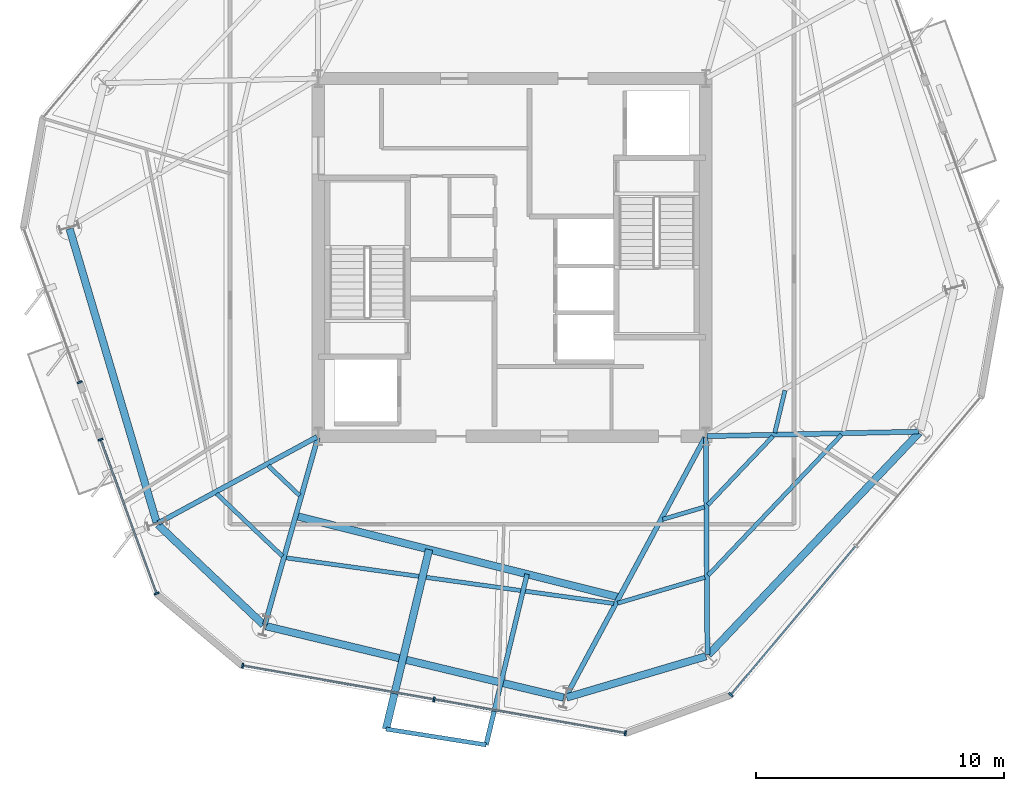
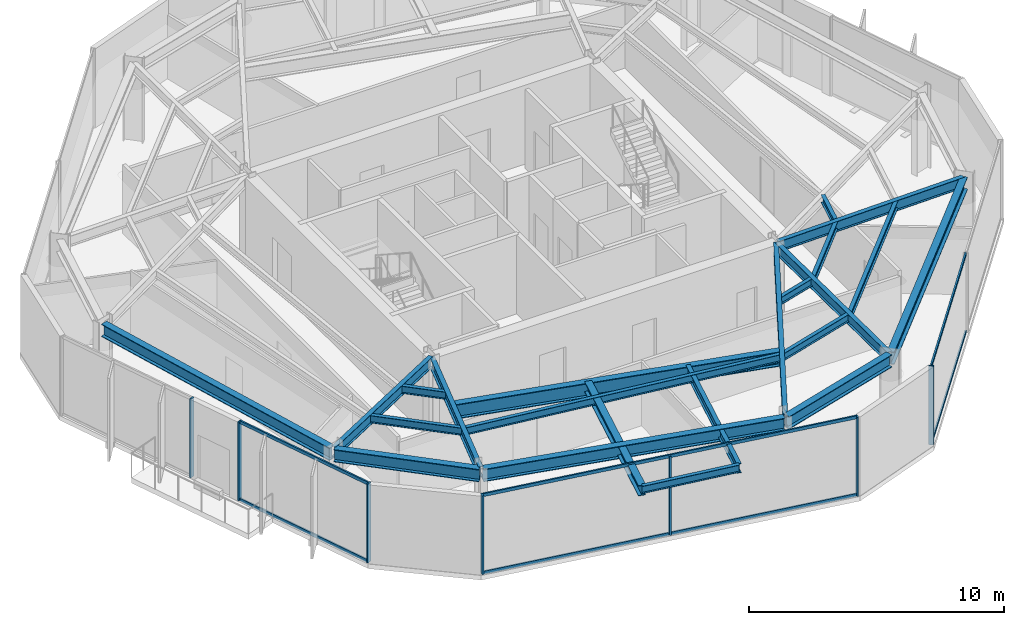
# One storey, part 2 of 11: 22 beams, 15 members, 4 elements without a shape of their own.
"""IFC4 building model written with IfcOpenShell, lengths in metres."""

import ifcopenshell
import ifcopenshell.guid

model = None  # the IFC model being written
_history = None  # IfcOwnerHistory: only IFC2X3 demands one
_inside = {}  # id of a spatial element -> (the spatial element, [elements in it])
_under = {}  # id of a project, library or spatial element -> (it, [spatial elements below it])
_declared = {}  # id of a project -> (the project, [libraries it declares])
_typed = {}  # id of a type object -> (the type object, [elements of that type])
_made_of = {}  # id of a material, layer set ... -> (it, [elements and type objects made of it])


def new_model(schema):
    """Start an empty IFC model of exactly this schema.

    Asked for "IFC4X3", IfcOpenShell would pick the latest addendum, in which some entities
    have other attributes; the version numbers below select the first issue.
    IFC2X3 requires an IfcOwnerHistory on every rooted entity: one is made here for all.
    """
    global model, _history
    if schema == "IFC4X3":
        model = ifcopenshell.file(schema_version=(4, 3, 0, 0))
    else:
        model = ifcopenshell.file(schema=schema)
    _inside.clear()
    _under.clear()
    _declared.clear()
    _typed.clear()
    _made_of.clear()
    _history = None
    if model.schema == "IFC2X3":
        org = make("IfcOrganization", Name="unknown")
        user = make(
            "IfcPersonAndOrganization",
            ThePerson=make("IfcPerson", FamilyName="unknown"),
            TheOrganization=org,
        )
        app = make(
            "IfcApplication",
            ApplicationDeveloper=org,
            Version="unknown",
            ApplicationFullName="unknown",
            ApplicationIdentifier="unknown",
        )
        _history = make(
            "IfcOwnerHistory",
            OwningUser=user,
            OwningApplication=app,
            ChangeAction="ADDED",
            CreationDate=0,
        )
    return model


def make(cls, **values):
    """One entity of the class cls with the attributes given. An attribute that is None is left unset."""
    return model.create_entity(
        cls, **{name: value for name, value in values.items() if value is not None}
    )


def rooted(cls, **values):
    """An entity with a GlobalId (a new one), such as an element, a storey or a relation."""
    return make(cls, GlobalId=ifcopenshell.guid.new(), OwnerHistory=_history, **values)


def si_unit(unit_type, name, prefix=None):
    """IfcSIUnit, for example si_unit("LENGTHUNIT", "METRE", prefix="MILLI")."""
    return make("IfcSIUnit", UnitType=unit_type, Prefix=prefix, Name=name)


def assignment(units):
    """IfcUnitAssignment: the units of a project."""
    return None if units is None else make("IfcUnitAssignment", Units=units)


def point(xyz):
    """IfcCartesianPoint."""
    return None if xyz is None else make("IfcCartesianPoint", Coordinates=xyz)


def direction(xyz):
    """IfcDirection."""
    return None if xyz is None else make("IfcDirection", DirectionRatios=xyz)


def frame(location, z_axis=None, x_axis=None):
    """IfcAxis2Placement3D, a coordinate frame: its origin and axes. An axis left out is left unset."""
    return make(
        "IfcAxis2Placement3D",
        Location=point(location),
        Axis=direction(z_axis),
        RefDirection=direction(x_axis),
    )


def frame_2d(location, x_axis=None):
    """IfcAxis2Placement2D, a coordinate frame in the plane: its origin and x axis."""
    return make(
        "IfcAxis2Placement2D", Location=point(location), RefDirection=direction(x_axis)
    )


def origin():
    """The frame at (0, 0, 0) with its axes left unset."""
    return frame((0.0, 0.0, 0.0))


def origin_2d():
    """The frame at (0, 0) in the plane with its x axis left unset."""
    return frame_2d((0.0, 0.0))


def place(relative_to, where):
    """IfcLocalPlacement: puts the frame where relative to a parent placement (None: the world)."""
    return make(
        "IfcLocalPlacement", PlacementRelTo=relative_to, RelativePlacement=where
    )


def context(
    kind, dimensions, precision=None, world=None, true_north=None, identifier=None
):
    """IfcGeometricRepresentationContext, for example the 3D "Model" context."""
    return make(
        "IfcGeometricRepresentationContext",
        ContextIdentifier=identifier,
        ContextType=kind,
        CoordinateSpaceDimension=dimensions,
        Precision=precision,
        WorldCoordinateSystem=world,
        TrueNorth=true_north,
    )


def subcontext(parent, identifier, kind, view, scale=None):
    """IfcGeometricRepresentationSubContext, for example "Body" below "Model"."""
    return make(
        "IfcGeometricRepresentationSubContext",
        ContextIdentifier=identifier,
        ContextType=kind,
        ParentContext=parent,
        TargetScale=scale,
        TargetView=view,
    )


def project(units=None, contexts=None):
    """IfcProject with its units and contexts."""
    return rooted(
        "IfcProject",
        Name="project",
        RepresentationContexts=contexts,
        UnitsInContext=assignment(units),
    )


def spatial(cls, under=None, at=None, **own):
    """A site, building, storey or space (cls), placed at a placement, below another one or the project."""
    s = rooted(cls, ObjectPlacement=at, **own)
    if under is not None:
        _under.setdefault(under.id(), (under, []))[1].append(s)
    return s


def profile(cls, at=None, kind="AREA", **sizes):
    """A parametric profile (cls). Its sizes go by their IFC names, for example OverallWidth=200.0."""
    return make(cls, ProfileType=kind, Position=at, **sizes)


def rectangle(**sizes):
    """IfcRectangleProfileDef."""
    return profile("IfcRectangleProfileDef", **sizes)


def i_section(**sizes):
    """IfcIShapeProfileDef."""
    return profile("IfcIShapeProfileDef", **sizes)


def extrude(swept, where, along, depth):
    """IfcExtrudedAreaSolid: the profile swept, set in the frame where, extruded along a direction by depth."""
    return make(
        "IfcExtrudedAreaSolid",
        SweptArea=swept,
        Position=where,
        ExtrudedDirection=direction(along),
        Depth=depth,
    )


def shape(context_of_items, identifier, shape_type, items):
    """IfcShapeRepresentation: the items that make up one representation, for example the "Body"."""
    return make(
        "IfcShapeRepresentation",
        ContextOfItems=context_of_items,
        RepresentationIdentifier=identifier,
        RepresentationType=shape_type,
        Items=items,
    )


def material(Name=None, Category=None):
    """IfcMaterial."""
    return make("IfcMaterial", Name=Name, Category=Category)


def layer(
    of_material, thickness, ventilated=None, Name=None, Category=None, Priority=None
):
    """IfcMaterialLayer: one layer of a wall or slab, of a material (None: an air gap)."""
    return make(
        "IfcMaterialLayer",
        Material=of_material,
        LayerThickness=thickness,
        IsVentilated=ventilated,
        Name=Name,
        Category=Category,
        Priority=Priority,
    )


def layer_set(layers, Name=None):
    """IfcMaterialLayerSet."""
    return make("IfcMaterialLayerSet", MaterialLayers=layers, LayerSetName=Name)


def material_profile(
    of_material, cross_section, Name=None, Category=None, Priority=None
):
    """IfcMaterialProfile: a cross section and its material."""
    return make(
        "IfcMaterialProfile",
        Name=Name,
        Material=of_material,
        Profile=cross_section,
        Priority=Priority,
        Category=Category,
    )


def profile_set(profiles, Name=None, composite=None):
    """IfcMaterialProfileSet."""
    return make(
        "IfcMaterialProfileSet",
        Name=Name,
        MaterialProfiles=profiles,
        CompositeProfile=composite,
    )


def made_of(thing, what):
    """Note that an element or type object is made of a material, layer set ...; save() writes the relation."""
    if what is not None:
        _made_of.setdefault(what.id(), (what, []))[1].append(thing)
    return thing


def type_object(cls, material=None, **own):
    """A type object (cls), such as IfcWallType, which elements share."""
    return made_of(rooted(cls, **own), material)


def element(
    cls,
    number,
    at=None,
    inside=None,
    cuts=None,
    type_object=None,
    material=None,
    context=None,
    identifier="Body",
    shape_type=None,
    held_by="IfcProductDefinitionShape",
    body=None,
    shapes=None,
    **own,
):
    """One element of the class cls, such as IfcWall. Its Tag is "e" and its number.

    at: its placement. inside: the storey or other place that contains it. cuts: it is an
    opening in that element (IfcRelVoidsElement). A single representation is given by context,
    identifier, shape_type and body (its items); several are given by shapes. held_by: the class
    of the entity that holds the representations. save() writes the other relations.
    """
    e = rooted(cls, Tag="e%d" % number, ObjectPlacement=at, **own)
    if body is not None:
        shapes = [shape(context, identifier, shape_type, body)]
    if shapes is not None:
        e.Representation = make(held_by, Representations=shapes)
    if inside is not None:
        _inside.setdefault(inside.id(), (inside, []))[1].append(e)
    if cuts is not None:
        rooted(
            "IfcRelVoidsElement", RelatingBuildingElement=cuts, RelatedOpeningElement=e
        )
    if type_object is not None:
        _typed.setdefault(type_object.id(), (type_object, []))[1].append(e)
    return made_of(e, material)


def aggregate(whole, parts):
    """IfcRelAggregates: a whole, such as a stair, and the parts it consists of."""
    return rooted("IfcRelAggregates", RelatingObject=whole, RelatedObjects=parts)


def save(model, path):
    """Write the relations noted so far, then the file.

    IfcRelAggregates (storeys below a building ...), IfcRelContainedInSpatialStructure (elements
    in a storey), IfcRelDefinesByType, IfcRelAssociatesMaterial and IfcRelDeclares: one each for
    every whole, place, type object, material and project.
    """
    for whole, parts in _under.values():
        aggregate(whole, parts)
    for where, things in _inside.values():
        rooted(
            "IfcRelContainedInSpatialStructure",
            RelatedElements=things,
            RelatingStructure=where,
        )
    for kind, things in _typed.values():
        rooted("IfcRelDefinesByType", RelatedObjects=things, RelatingType=kind)
    for what, things in _made_of.values():
        rooted("IfcRelAssociatesMaterial", RelatedObjects=things, RelatingMaterial=what)
    for by, libraries in _declared.values():
        rooted("IfcRelDeclares", RelatingContext=by, RelatedDefinitions=libraries)
    model.write(path)


model = new_model("IFC4")

# Units and contexts
model_context = context("Model", 3, precision=1e-05, world=origin(), true_north=direction((0.0, 1.0)))
body_context = subcontext(model_context, "Body", "Model", "MODEL_VIEW")
ifc_project = project(units=[si_unit("LENGTHUNIT", "METRE"), si_unit("AREAUNIT", "SQUARE_METRE"), si_unit("VOLUMEUNIT", "CUBIC_METRE"), si_unit("PLANEANGLEUNIT", "RADIAN"), si_unit("MASSUNIT", "GRAM", prefix="KILO")], contexts=[model_context])

# Site, building, storey
site_placement = place(None, origin())
site = spatial("IfcSite", under=ifc_project, at=site_placement, CompositionType="ELEMENT")
building_placement = place(site_placement, origin())
building = spatial("IfcBuilding", under=site, at=building_placement, Name="Kranzbogen Civic Tower", CompositionType="ELEMENT")
storey_placement = place(building_placement, frame((0.0, 0.0, 224.800048828125)))
storey = spatial("IfcBuildingStorey", under=building, at=storey_placement, Name="L54", CompositionType="ELEMENT", Elevation=224.800048828125)

# Beam
ifc_material_1 = material(Name="Steel S355", Category="steel")
ifc_material_profile_1 = material_profile(ifc_material_1, i_section(OverallWidth=0.18994140625, OverallDepth=0.449951171875, WebThickness=0.009521484375, FlangeThickness=0.0146484375, at=origin_2d()), Name="IPE 450")
ifc_profile_set_1 = profile_set([ifc_material_profile_1], Name="Steel S355")
beam_type_1 = type_object("IfcBeamType", Name="Braced Terrace Edge Beam IPE 450", PredefinedType="BEAM", material=ifc_profile_set_1)
beam_1_placement = place(storey_placement, frame((25.60693359375, 12.24609375, 3.52490234375), z_axis=(-0.233359892352, -0.972390436317, 0.0), x_axis=(0.972390436317, -0.233359892352, 0.0)))
element("IfcBeam", 1, at=beam_1_placement, inside=storey, type_object=beam_type_1, Name="L55 back-spanned terrace beam L55-TB1-2", PredefinedType="BEAM", context=body_context, shape_type="SweptSolid", body=[
    extrude(i_section(OverallWidth=0.18994140625, OverallDepth=0.449951171875, WebThickness=0.009521484375, FlangeThickness=0.0146484375, at=origin_2d()), origin(), (0.0, 0.0, 1.0), 7.0703125),
])

# Curtain wall, member
ifc_material_2 = material(Name="Pale Anodised Aluminium", Category="aluminium")
ifc_layer = layer(ifc_material_2, 0.219970703125, Name="Pale Anodised Aluminium")
ifc_layer_set = layer_set([ifc_layer], Name="Pale Anodised Aluminium")
curtain_wall_type = type_object("IfcCurtainWallType", Name="Zone 3 Stick Curtain Wall System CW-04", PredefinedType="USERDEFINED", material=ifc_layer_set)
curtain_wall_1_placement = place(storey_placement, origin())
curtain_wall_1 = element("IfcCurtainWall", 2, at=curtain_wall_1_placement, inside=storey, type_object=curtain_wall_type, Name="L54 curtain wall CW-L54-F3-S1", ObjectType="STICK CURTAIN WALL", PredefinedType="USERDEFINED")
ifc_material_profile_2 = material_profile(ifc_material_2, rectangle(XDim=0.070068359375, YDim=0.199951171875, at=origin_2d()), Name="ALU-M 70x200")
ifc_profile_set_2 = profile_set([ifc_material_profile_2], Name="Pale Anodised Aluminium")
member_type_1 = type_object("IfcMemberType", Name="Curtain Wall Mullion ALU-M 70x200", PredefinedType="MULLION", material=ifc_profile_set_2)
member_1_placement = place(storey_placement, frame((7.59765625, 19.97412109375, 0.0), z_axis=(0.0, 0.0, 1.0), x_axis=(0.342032633583, -0.93968807461, 0.0)))
member_1 = element("IfcMember", 3, at=member_1_placement, type_object=member_type_1, Name="CW-04 mullion 2", PredefinedType="MULLION", context=body_context, shape_type="SweptSolid", body=[
    extrude(rectangle(XDim=0.070068359375, YDim=0.199951171875, at=origin_2d()), origin(), (0.0, 0.0, 1.0), 3.780029296875),
])
aggregate(curtain_wall_1, [member_1])

# Curtain wall, members
curtain_wall_2_placement = place(storey_placement, origin())
curtain_wall_2 = element("IfcCurtainWall", 4, at=curtain_wall_2_placement, inside=storey, type_object=curtain_wall_type, Name="L54 curtain wall CW-L54-F3-S2", ObjectType="STICK CURTAIN WALL", PredefinedType="USERDEFINED")
member_2_placement = place(storey_placement, frame((8.439208984375, 17.662841796875, 0.0), z_axis=(0.0, 0.0, 1.0), x_axis=(0.342080939887, -0.93967049042, 0.0)))
member_2 = element("IfcMember", 5, at=member_2_placement, type_object=member_type_1, Name="CW-04 mullion 1", PredefinedType="MULLION", context=body_context, shape_type="SweptSolid", body=[
    extrude(rectangle(XDim=0.070068359375, YDim=0.199951171875, at=origin_2d()), origin(), (0.0, 0.0, 1.0), 3.780029296875),
])
member_3_placement = place(storey_placement, frame((10.69482421875, 11.46728515625, 0.0), z_axis=(0.0, 0.0, 1.0), x_axis=(0.342080939887, -0.93967049042, 0.0)))
member_3 = element("IfcMember", 6, at=member_3_placement, type_object=member_type_1, Name="CW-04 mullion 2", PredefinedType="MULLION", context=body_context, shape_type="SweptSolid", body=[
    extrude(rectangle(XDim=0.070068359375, YDim=0.199951171875, at=origin_2d()), origin(), (0.0, 0.0, 1.0), 3.780029296875),
])

curtain_wall_3_placement = place(storey_placement, origin())
curtain_wall_3 = element("IfcCurtainWall", 7, at=curtain_wall_3_placement, inside=storey, type_object=curtain_wall_type, Name="L54 curtain wall CW-L54-F4", ObjectType="STICK CURTAIN WALL", PredefinedType="USERDEFINED")
member_4_placement = place(storey_placement, frame((14.156494140625, 8.561767578125, 0.0), z_axis=(0.0, 0.0, 1.0), x_axis=(0.984803420374, -0.173672747489, 0.0)))
member_4 = element("IfcMember", 8, at=member_4_placement, type_object=member_type_1, Name="CW-04 mullion 1", PredefinedType="MULLION", context=body_context, shape_type="SweptSolid", body=[
    extrude(rectangle(XDim=0.070068359375, YDim=0.199951171875, at=origin_2d()), origin(), (0.0, 0.0, 1.0), 3.780029296875),
])
member_5_placement = place(storey_placement, frame((21.861572265625, 7.202880859375, 0.0), z_axis=(0.0, 0.0, 1.0), x_axis=(0.984803420374, -0.173672747489, 0.0)))
member_5 = element("IfcMember", 9, at=member_5_placement, type_object=member_type_1, Name="CW-04 mullion 2", PredefinedType="MULLION", context=body_context, shape_type="SweptSolid", body=[
    extrude(rectangle(XDim=0.070068359375, YDim=0.199951171875, at=origin_2d()), origin(), (0.0, 0.0, 1.0), 3.780029296875),
])
member_6_placement = place(storey_placement, frame((29.56640625, 5.84423828125, 0.0), z_axis=(0.0, 0.0, 1.0), x_axis=(0.984803420374, -0.173672747489, 0.0)))
member_6 = element("IfcMember", 10, at=member_6_placement, type_object=member_type_1, Name="CW-04 mullion 3", PredefinedType="MULLION", context=body_context, shape_type="SweptSolid", body=[
    extrude(rectangle(XDim=0.070068359375, YDim=0.199951171875, at=origin_2d()), origin(), (0.0, 0.0, 1.0), 3.780029296875),
])

# Curtain wall, member
curtain_wall_4_placement = place(storey_placement, origin())
curtain_wall_4 = element("IfcCurtainWall", 11, at=curtain_wall_4_placement, inside=storey, type_object=curtain_wall_type, Name="L54 curtain wall CW-L54-F5", ObjectType="STICK CURTAIN WALL", PredefinedType="USERDEFINED")
member_7_placement = place(storey_placement, frame((33.815185546875, 7.389892578125, 0.0), z_axis=(0.0, 0.0, 1.0), x_axis=(0.642754513529, 0.766072212874, 0.0)))
member_7 = element("IfcMember", 12, at=member_7_placement, type_object=member_type_1, Name="CW-04 mullion 1", PredefinedType="MULLION", context=body_context, shape_type="SweptSolid", body=[
    extrude(rectangle(XDim=0.070068359375, YDim=0.199951171875, at=origin_2d()), origin(), (0.0, 0.0, 1.0), 3.780029296875),
])

# Member
ifc_material_profile_3 = material_profile(ifc_material_2, rectangle(XDim=0.070068359375, YDim=0.14990234375, at=origin_2d()), Name="ALU-T 70x150")
ifc_profile_set_3 = profile_set([ifc_material_profile_3], Name="Pale Anodised Aluminium")
member_type_2 = type_object("IfcMemberType", Name="Curtain Wall Transom ALU-T 70x150", PredefinedType="USERDEFINED", material=ifc_profile_set_3)
member_8_placement = place(storey_placement, frame((8.449462890625, 17.634521484375, 0.030029296875), z_axis=(0.342106082149, -0.939661337162, 0.0), x_axis=(0.939661337162, 0.342106082149, 0.0)))
member_8 = element("IfcMember", 13, at=member_8_placement, type_object=member_type_2, Name="CW-04 transom 1.1", ObjectType="TRANSOM", PredefinedType="USERDEFINED", context=body_context, shape_type="SweptSolid", body=[
    extrude(rectangle(XDim=0.070068359375, YDim=0.14990234375, at=origin_2d()), origin(), (0.0, 0.0, 1.0), 6.533447265625),
])

member_9_placement = place(storey_placement, frame((8.449462890625, 17.634521484375, 3.75), z_axis=(0.342106082149, -0.939661337162, 0.0), x_axis=(0.939661337162, 0.342106082149, 0.0)))
member_9 = element("IfcMember", 14, at=member_9_placement, type_object=member_type_2, Name="CW-04 transom 1.2", ObjectType="TRANSOM", PredefinedType="USERDEFINED", context=body_context, shape_type="SweptSolid", body=[
    extrude(rectangle(XDim=0.070068359375, YDim=0.14990234375, at=origin_2d()), origin(), (0.0, 0.0, 1.0), 6.533447265625),
])

aggregate(curtain_wall_2, [member_2, member_3, member_8, member_9])

member_10_placement = place(storey_placement, frame((14.18603515625, 8.556640625, 0.030029296875), z_axis=(0.984803495821, -0.17367231967, 0.0), x_axis=(0.17367231967, 0.984803495821, 0.0)))
member_10 = element("IfcMember", 15, at=member_10_placement, type_object=member_type_2, Name="CW-04 transom 1.1", ObjectType="TRANSOM", PredefinedType="USERDEFINED", context=body_context, shape_type="SweptSolid", body=[
    extrude(rectangle(XDim=0.070068359375, YDim=0.14990234375, at=origin_2d()), origin(), (0.0, 0.0, 1.0), 7.763916015625),
])

member_11_placement = place(storey_placement, frame((14.18603515625, 8.556640625, 3.75), z_axis=(0.984803495821, -0.17367231967, 0.0), x_axis=(0.17367231967, 0.984803495821, 0.0)))
member_11 = element("IfcMember", 16, at=member_11_placement, type_object=member_type_2, Name="CW-04 transom 1.2", ObjectType="TRANSOM", PredefinedType="USERDEFINED", context=body_context, shape_type="SweptSolid", body=[
    extrude(rectangle(XDim=0.070068359375, YDim=0.14990234375, at=origin_2d()), origin(), (0.0, 0.0, 1.0), 7.763916015625),
])

member_12_placement = place(storey_placement, frame((21.89111328125, 7.19775390625, 0.030029296875), z_axis=(0.984802547321, -0.173677698019, 0.0), x_axis=(0.173677698019, 0.984802547321, 0.0)))
member_12 = element("IfcMember", 17, at=member_12_placement, type_object=member_type_2, Name="CW-04 transom 2.1", ObjectType="TRANSOM", PredefinedType="USERDEFINED", context=body_context, shape_type="SweptSolid", body=[
    extrude(rectangle(XDim=0.070068359375, YDim=0.14990234375, at=origin_2d()), origin(), (0.0, 0.0, 1.0), 7.763671875),
])

member_13_placement = place(storey_placement, frame((21.89111328125, 7.19775390625, 3.75), z_axis=(0.984802547321, -0.173677698019, 0.0), x_axis=(0.173677698019, 0.984802547321, 0.0)))
member_13 = element("IfcMember", 18, at=member_13_placement, type_object=member_type_2, Name="CW-04 transom 2.2", ObjectType="TRANSOM", PredefinedType="USERDEFINED", context=body_context, shape_type="SweptSolid", body=[
    extrude(rectangle(XDim=0.070068359375, YDim=0.14990234375, at=origin_2d()), origin(), (0.0, 0.0, 1.0), 7.763671875),
])

aggregate(curtain_wall_3, [member_4, member_5, member_6, member_10, member_11, member_12, member_13])

member_14_placement = place(storey_placement, frame((33.83447265625, 7.4130859375, 0.030029296875), z_axis=(0.642763507001, 0.766064667028, 0.0), x_axis=(-0.766064667028, 0.642763507001, 0.0)))
member_14 = element("IfcMember", 19, at=member_14_placement, type_object=member_type_2, Name="CW-04 transom 1.1", ObjectType="TRANSOM", PredefinedType="USERDEFINED", context=body_context, shape_type="SweptSolid", body=[
    extrude(rectangle(XDim=0.070068359375, YDim=0.14990234375, at=origin_2d()), origin(), (0.0, 0.0, 1.0), 7.763671875),
])

member_15_placement = place(storey_placement, frame((33.83447265625, 7.4130859375, 3.75), z_axis=(0.642763507001, 0.766064667028, 0.0), x_axis=(-0.766064667028, 0.642763507001, 0.0)))
member_15 = element("IfcMember", 20, at=member_15_placement, type_object=member_type_2, Name="CW-04 transom 1.2", ObjectType="TRANSOM", PredefinedType="USERDEFINED", context=body_context, shape_type="SweptSolid", body=[
    extrude(rectangle(XDim=0.070068359375, YDim=0.14990234375, at=origin_2d()), origin(), (0.0, 0.0, 1.0), 7.763671875),
])

aggregate(curtain_wall_4, [member_7, member_14, member_15])

# Beams
ifc_material_profile_4 = material_profile(ifc_material_1, i_section(OverallWidth=0.300048828125, OverallDepth=0.5, WebThickness=0.014404296875, FlangeThickness=0.028076171875, at=origin_2d()), Name="HEB 500")
ifc_profile_set_4 = profile_set([ifc_material_profile_4], Name="Steel S355")
beam_type_2 = type_object("IfcBeamType", Name="Perimeter Tube Spandrel Beam HEB 500", PredefinedType="SPANDREL", material=ifc_profile_set_4)
beam_2_placement = place(storey_placement, frame((21.662109375, 13.239013671875, 3.5), z_axis=(-0.233391583111, -0.972382830439, 0.0), x_axis=(0.972382830439, -0.233391583111, 0.0)))
element("IfcBeam", 21, at=beam_2_placement, inside=storey, type_object=beam_type_2, Name="L55 back-spanned terrace beam L55-TB1-1", PredefinedType="SPANDREL", context=body_context, shape_type="SweptSolid", body=[
    extrude(i_section(OverallWidth=0.300048828125, OverallDepth=0.5, WebThickness=0.014404296875, FlangeThickness=0.028076171875, at=origin_2d()), origin(), (0.0, 0.0, 1.0), 7.434326171875),
])
ifc_material_profile_5 = material_profile(ifc_material_1, i_section(OverallWidth=0.300048828125, OverallDepth=0.60009765625, WebThickness=0.015380859375, FlangeThickness=0.030029296875, at=origin_2d()), Name="HEB 600")
ifc_profile_set_5 = profile_set([ifc_material_profile_5], Name="Steel S355")
beam_type_3 = type_object("IfcBeamType", Name="Perimeter Tube Spandrel Beam HEB 600", PredefinedType="SPANDREL", material=ifc_profile_set_5)
beam_3_placement = place(storey_placement, frame((10.7509765625, 14.235107421875, 3.47998046875), z_axis=(0.725245206788, -0.688490660816, 0.0), x_axis=(0.688490660816, 0.725245206788, 0.0)))
element("IfcBeam", 22, at=beam_3_placement, inside=storey, type_object=beam_type_3, Name="L54 perimeter spandrel beam 01", PredefinedType="SPANDREL", context=body_context, shape_type="SweptSolid", body=[
    extrude(i_section(OverallWidth=0.300048828125, OverallDepth=0.60009765625, WebThickness=0.015380859375, FlangeThickness=0.030029296875, at=origin_2d()), origin(), (0.0, 0.0, 1.0), 5.85205078125),
])
beam_4_placement = place(storey_placement, frame((15.096923828125, 10.15087890625, 3.47998046875), z_axis=(0.972377592092, -0.233413406637, 0.0), x_axis=(0.233413406637, 0.972377592092, 0.0)))
element("IfcBeam", 23, at=beam_4_placement, inside=storey, type_object=beam_type_3, Name="L54 perimeter spandrel beam 02", PredefinedType="SPANDREL", context=body_context, shape_type="SweptSolid", body=[
    extrude(i_section(OverallWidth=0.300048828125, OverallDepth=0.60009765625, WebThickness=0.015380859375, FlangeThickness=0.030029296875, at=origin_2d()), origin(), (0.0, 0.0, 1.0), 12.32568359375),
])
beam_5_placement = place(storey_placement, frame((27.197998046875, 7.277099609375, 3.47998046875), z_axis=(0.9588296723, 0.283981794341, 0.0), x_axis=(-0.283981794341, 0.9588296723, 0.0)))
element("IfcBeam", 24, at=beam_5_placement, inside=storey, type_object=beam_type_3, Name="L54 perimeter spandrel beam 03", PredefinedType="SPANDREL", context=body_context, shape_type="SweptSolid", body=[
    extrude(i_section(OverallWidth=0.300048828125, OverallDepth=0.60009765625, WebThickness=0.015380859375, FlangeThickness=0.030029296875, at=origin_2d()), origin(), (0.0, 0.0, 1.0), 5.85205078125),
])
beam_6_placement = place(storey_placement, frame((32.907958984375, 9.0, 3.47998046875), z_axis=(0.688373497874, 0.725356414065, 0.0), x_axis=(-0.725356414065, 0.688373497874, 0.0)))
element("IfcBeam", 25, at=beam_6_placement, inside=storey, type_object=beam_type_3, Name="L54 perimeter spandrel beam 04", PredefinedType="SPANDREL", context=body_context, shape_type="SweptSolid", body=[
    extrude(i_section(OverallWidth=0.300048828125, OverallDepth=0.60009765625, WebThickness=0.015380859375, FlangeThickness=0.030029296875, at=origin_2d()), origin(), (0.0, 0.0, 1.0), 12.324951171875),
])
beam_7_placement = place(storey_placement, frame((7.18896484375, 26.15087890625, 3.47998046875), z_axis=(0.284064048956, -0.958805306666, 0.0), x_axis=(0.958805306666, 0.284064048956, 0.0)))
element("IfcBeam", 26, at=beam_7_placement, inside=storey, type_object=beam_type_3, Name="L54 perimeter spandrel beam 12", PredefinedType="SPANDREL", context=body_context, shape_type="SweptSolid", body=[
    extrude(i_section(OverallWidth=0.300048828125, OverallDepth=0.60009765625, WebThickness=0.015380859375, FlangeThickness=0.030029296875, at=origin_2d()), origin(), (0.0, 0.0, 1.0), 12.32470703125),
])
ifc_material_profile_6 = material_profile(ifc_material_1, i_section(OverallWidth=0.300048828125, OverallDepth=0.699951171875, WebThickness=0.01708984375, FlangeThickness=0.031982421875, at=origin_2d()), Name="HEB 700")
ifc_profile_set_6 = profile_set([ifc_material_profile_6], Name="Steel S355")
beam_type_4 = type_object("IfcBeamType", Name="Perimeter Tube Spandrel Beam HEB 700", PredefinedType="SPANDREL", material=ifc_profile_set_6)
beam_8_placement = place(storey_placement, frame((16.2919921875, 14.591064453125, 3.39990234375), z_axis=(0.969754167823, -0.244083702834, 0.0), x_axis=(0.244083702834, 0.969754167823, 0.0)))
element("IfcBeam", 27, at=beam_8_placement, inside=storey, type_object=beam_type_4, Name="L55 balcony back-span header girder L55-TB1", PredefinedType="SPANDREL", context=body_context, shape_type="SweptSolid", body=[
    extrude(i_section(OverallWidth=0.300048828125, OverallDepth=0.699951171875, WebThickness=0.01708984375, FlangeThickness=0.031982421875, at=origin_2d()), origin(), (0.0, 0.0, 1.0), 13.43017578125),
])
ifc_material_profile_7 = material_profile(ifc_material_1, i_section(OverallWidth=0.199951171875, OverallDepth=0.5, WebThickness=0.01025390625, FlangeThickness=0.01611328125, at=origin_2d()), Name="IPE 500")
ifc_profile_set_7 = profile_set([ifc_material_profile_7], Name="Steel S355")
beam_type_5 = type_object("IfcBeamType", Name="Radial Tower Floor Girder IPE 500", PredefinedType="BEAM", material=ifc_profile_set_7)
beam_9_placement = place(storey_placement, frame((10.760009765625, 14.304931640625, 3.530029296875), z_axis=(0.878919430102, 0.476970266777, 0.0), x_axis=(-0.476970266777, 0.878919430102, 0.0)))
element("IfcBeam", 28, at=beam_9_placement, inside=storey, type_object=beam_type_5, Name="L54 radial floor girder 01", PredefinedType="BEAM", context=body_context, shape_type="SweptSolid", body=[
    extrude(i_section(OverallWidth=0.199951171875, OverallDepth=0.5, WebThickness=0.01025390625, FlangeThickness=0.01611328125, at=origin_2d()), origin(), (0.0, 0.0, 1.0), 7.266845703125),
])
beam_10_placement = place(storey_placement, frame((15.054931640625, 10.222900390625, 3.530029296875), z_axis=(0.272455078988, 0.962168503919, 0.0), x_axis=(-0.962168503919, 0.272455078988, 0.0)))
element("IfcBeam", 29, at=beam_10_placement, inside=storey, type_object=beam_type_5, Name="L54 radial floor girder 02", PredefinedType="BEAM", context=body_context, shape_type="SweptSolid", body=[
    extrude(i_section(OverallWidth=0.199951171875, OverallDepth=0.5, WebThickness=0.01025390625, FlangeThickness=0.01611328125, at=origin_2d()), origin(), (0.0, 0.0, 1.0), 7.814697265625),
])
beam_11_placement = place(storey_placement, frame((27.16796875, 7.31298828125, 3.530029296875), z_axis=(0.473160413549, 0.880976289721, 0.0), x_axis=(-0.880976289721, 0.473160413549, 0.0)))
element("IfcBeam", 30, at=beam_11_placement, inside=storey, type_object=beam_type_5, Name="L54 radial floor girder 03", PredefinedType="BEAM", context=body_context, shape_type="SweptSolid", body=[
    extrude(i_section(OverallWidth=0.199951171875, OverallDepth=0.5, WebThickness=0.01025390625, FlangeThickness=0.01611328125, at=origin_2d()), origin(), (0.0, 0.0, 1.0), 11.84375),
])
beam_12_placement = place(storey_placement, frame((32.866943359375, 9.01611328125, 3.530029296875), z_axis=(-0.007667756557, 0.999970602323, 0.0), x_axis=(-0.999970602323, -0.007667756557, 0.0)))
element("IfcBeam", 31, at=beam_12_placement, inside=storey, type_object=beam_type_5, Name="L54 radial floor girder 04", PredefinedType="BEAM", context=body_context, shape_type="SweptSolid", body=[
    extrude(i_section(OverallWidth=0.199951171875, OverallDepth=0.5, WebThickness=0.01025390625, FlangeThickness=0.01611328125, at=origin_2d()), origin(), (0.0, 0.0, 1.0), 8.72412109375),
])
beam_13_placement = place(storey_placement, frame((41.373046875, 17.98291015625, 3.530029296875), z_axis=(-0.99977183191, -0.021360808018, 0.0), x_axis=(0.021360808018, -0.99977183191, 0.0)))
element("IfcBeam", 32, at=beam_13_placement, inside=storey, type_object=beam_type_5, Name="L54 radial floor girder 05", PredefinedType="BEAM", context=body_context, shape_type="SweptSolid", body=[
    extrude(i_section(OverallWidth=0.199951171875, OverallDepth=0.5, WebThickness=0.01025390625, FlangeThickness=0.01611328125, at=origin_2d()), origin(), (0.0, 0.0, 1.0), 8.514892578125),
])
ifc_material_profile_8 = material_profile(ifc_material_1, i_section(OverallWidth=0.169921875, OverallDepth=0.360107421875, WebThickness=0.008056640625, FlangeThickness=0.0126953125, at=origin_2d()), Name="IPE 360")
ifc_profile_set_8 = profile_set([ifc_material_profile_8], Name="Steel S355")
beam_type_6 = type_object("IfcBeamType", Name="Secondary Composite Floor Joist IPE 360", PredefinedType="JOIST", material=ifc_profile_set_8)
beam_14_placement = place(storey_placement, frame((13.10302734375, 15.489990234375, 3.599853515625), z_axis=(0.725300648604, -0.688432254572, 0.0), x_axis=(0.688432254572, 0.725300648604, 0.0)))
element("IfcBeam", 33, at=beam_14_placement, inside=storey, type_object=beam_type_6, Name="L54 secondary floor joist 1.01", PredefinedType="JOIST", context=body_context, shape_type="SweptSolid", body=[
    extrude(i_section(OverallWidth=0.169921875, OverallDepth=0.360107421875, WebThickness=0.008056640625, FlangeThickness=0.0126953125, at=origin_2d()), origin(), (0.0, 0.0, 1.0), 3.661865234375),
])
beam_15_placement = place(storey_placement, frame((15.179931640625, 16.616943359375, 3.599853515625), z_axis=(0.725479767774, -0.688243493649, 0.0), x_axis=(0.688243493649, 0.725479767774, 0.0)))
element("IfcBeam", 34, at=beam_15_placement, inside=storey, type_object=beam_type_6, Name="L54 secondary floor joist 2.01", PredefinedType="JOIST", context=body_context, shape_type="SweptSolid", body=[
    extrude(i_section(OverallWidth=0.169921875, OverallDepth=0.360107421875, WebThickness=0.008056640625, FlangeThickness=0.0126953125, at=origin_2d()), origin(), (0.0, 0.0, 1.0), 1.75048828125),
])
beam_16_placement = place(storey_placement, frame((15.89599609375, 12.903076171875, 3.599853515625), z_axis=(0.990445837232, -0.137902296968, 0.0), x_axis=(0.137902296968, 0.990445837232, 0.0)))
element("IfcBeam", 35, at=beam_16_placement, inside=storey, type_object=beam_type_6, Name="L54 secondary floor joist 1.02", PredefinedType="JOIST", context=body_context, shape_type="SweptSolid", body=[
    extrude(i_section(OverallWidth=0.169921875, OverallDepth=0.360107421875, WebThickness=0.008056640625, FlangeThickness=0.0126953125, at=origin_2d()), origin(), (0.0, 0.0, 1.0), 13.329345703125),
])
beam_17_placement = place(storey_placement, frame((29.25390625, 11.076904296875, 3.599853515625), z_axis=(0.958843823165, 0.283934011309, 0.0), x_axis=(-0.283934011309, 0.958843823165, 0.0)))
element("IfcBeam", 36, at=beam_17_placement, inside=storey, type_object=beam_type_6, Name="L54 secondary floor joist 1.03", PredefinedType="JOIST", context=body_context, shape_type="SweptSolid", body=[
    extrude(i_section(OverallWidth=0.169921875, OverallDepth=0.360107421875, WebThickness=0.008056640625, FlangeThickness=0.0126953125, at=origin_2d()), origin(), (0.0, 0.0, 1.0), 3.662841796875),
])
beam_18_placement = place(storey_placement, frame((31.06591796875, 14.449951171875, 3.599853515625), z_axis=(0.958871214757, 0.283841493638, 0.0), x_axis=(-0.283841493638, 0.958871214757, 0.0)))
element("IfcBeam", 37, at=beam_18_placement, inside=storey, type_object=beam_type_6, Name="L54 secondary floor joist 2.03", PredefinedType="JOIST", context=body_context, shape_type="SweptSolid", body=[
    extrude(i_section(OverallWidth=0.169921875, OverallDepth=0.360107421875, WebThickness=0.008056640625, FlangeThickness=0.0126953125, at=origin_2d()), origin(), (0.0, 0.0, 1.0), 1.751220703125),
])
beam_19_placement = place(storey_placement, frame((32.89794921875, 12.197998046875, 3.599853515625), z_axis=(0.688282381634, 0.725442873789, 0.0), x_axis=(-0.725442873789, 0.688282381634, 0.0)))
element("IfcBeam", 38, at=beam_19_placement, inside=storey, type_object=beam_type_6, Name="L54 secondary floor joist 1.04", PredefinedType="JOIST", context=body_context, shape_type="SweptSolid", body=[
    extrude(i_section(OverallWidth=0.169921875, OverallDepth=0.360107421875, WebThickness=0.008056640625, FlangeThickness=0.0126953125, at=origin_2d()), origin(), (0.0, 0.0, 1.0), 7.804931640625),
])
beam_20_placement = place(storey_placement, frame((32.876953125, 15.028076171875, 3.599853515625), z_axis=(0.688175084876, 0.725544659243, 0.0), x_axis=(-0.725544659243, 0.688175084876, 0.0)))
element("IfcBeam", 39, at=beam_20_placement, inside=storey, type_object=beam_type_6, Name="L54 secondary floor joist 2.04", PredefinedType="JOIST", context=body_context, shape_type="SweptSolid", body=[
    extrude(i_section(OverallWidth=0.169921875, OverallDepth=0.360107421875, WebThickness=0.008056640625, FlangeThickness=0.0126953125, at=origin_2d()), origin(), (0.0, 0.0, 1.0), 3.82177734375),
])
beam_21_placement = place(storey_placement, frame((35.5810546875, 17.93701171875, 3.599853515625), z_axis=(0.233631438607, 0.972325228972, 0.0), x_axis=(-0.972325228972, 0.233631438607, 0.0)))
element("IfcBeam", 40, at=beam_21_placement, inside=storey, type_object=beam_type_6, Name="L54 secondary floor joist 2.05", PredefinedType="JOIST", context=body_context, shape_type="SweptSolid", body=[
    extrude(i_section(OverallWidth=0.169921875, OverallDepth=0.360107421875, WebThickness=0.008056640625, FlangeThickness=0.0126953125, at=origin_2d()), origin(), (0.0, 0.0, 1.0), 1.750244140625),
])
beam_22_placement = place(storey_placement, frame((19.927001953125, 6.010009765625, 3.570068359375), z_axis=(0.987664773447, -0.156583189684, 0.0), x_axis=(0.156583189684, 0.987664773447, 0.0)))
element("IfcBeam", 41, at=beam_22_placement, inside=storey, type_object=beam_type_6, Name="L55 terrace outer edge trimmer L55-TB1", PredefinedType="JOIST", context=body_context, shape_type="SweptSolid", body=[
    extrude(i_section(OverallWidth=0.169921875, OverallDepth=0.360107421875, WebThickness=0.008056640625, FlangeThickness=0.0126953125, at=origin_2d()), origin(), (0.0, 0.0, 1.0), 4.080322265625),
])

save(model, "model.ifc")
